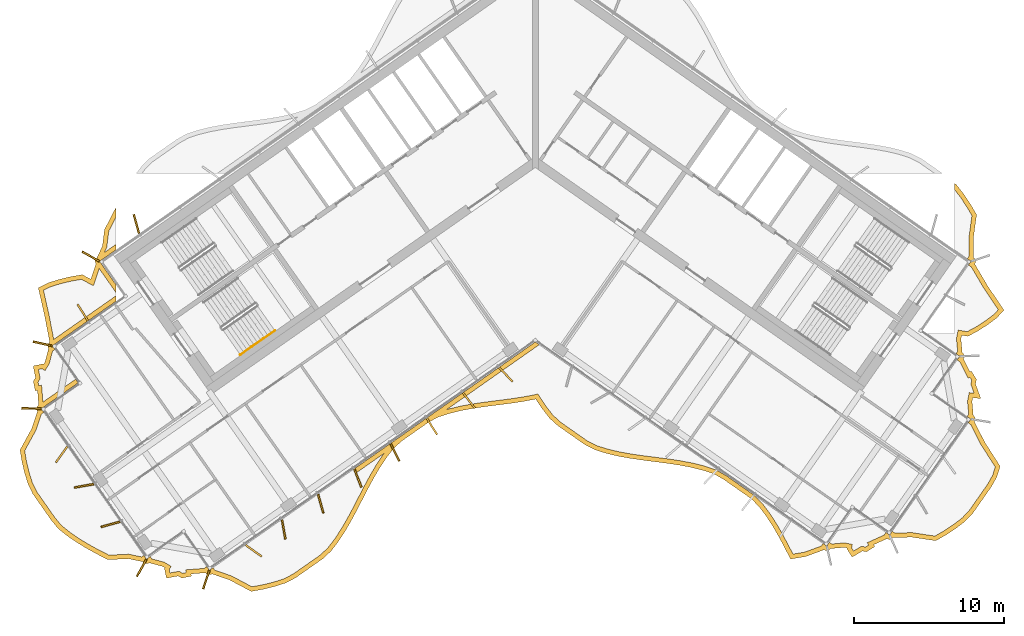
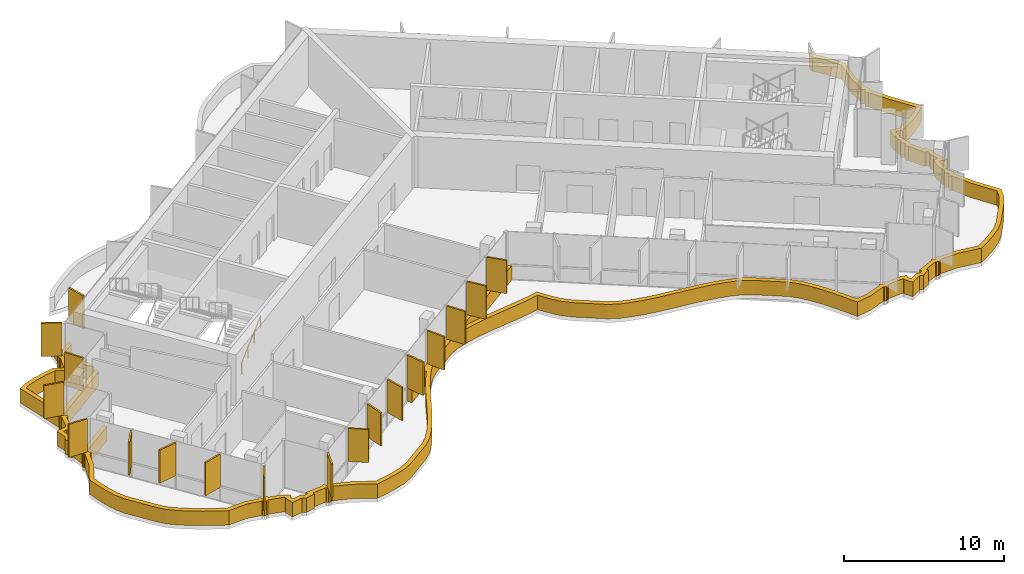
# One storey, part 13 of 17: 19 shading devices, 1 railing.
"""IFC4 building model written with IfcOpenShell, lengths in metres."""

from ifc_helpers import new_model, si_unit, direction, frame, origin, origin_2d, place, context, subcontext, project, spatial, polyline, rectangle, circle, outline, extrude, material, layer, layer_set, type_object, element, save


model = new_model("IFC4")

# Units and contexts
model_context = context("Model", 3, precision=1e-05, world=origin(), true_north=direction((0.0, 1.0)))
body_context = subcontext(model_context, "Body", "Model", "MODEL_VIEW")
ifc_project = project(units=[si_unit("LENGTHUNIT", "METRE"), si_unit("AREAUNIT", "SQUARE_METRE"), si_unit("VOLUMEUNIT", "CUBIC_METRE"), si_unit("PLANEANGLEUNIT", "RADIAN"), si_unit("MASSUNIT", "GRAM", prefix="KILO")], contexts=[model_context])

# Site, building, storey
site_placement = place(None, origin())
site = spatial("IfcSite", under=ifc_project, at=site_placement, CompositionType="ELEMENT")
building_placement = place(site_placement, origin())
building = spatial("IfcBuilding", under=site, at=building_placement, Name="Tel Ilan Convention Tower", CompositionType="ELEMENT")
storey_placement = place(building_placement, frame((0.0, 0.0, 283.89990234375)))
storey = spatial("IfcBuildingStorey", under=building, at=storey_placement, Name="L67", CompositionType="ELEMENT", Elevation=283.89990234375)

# Shading devices
ifc_material_1 = material(Name="Aluminium, bronze anodised", Category="aluminium")
ifc_layer_1 = layer(ifc_material_1, 0.1201171875)
ifc_layer_set_1 = layer_set([ifc_layer_1], Name="FIN BRONZE 1300x120")
shading_device_type_1 = type_object("IfcShadingDeviceType", Name="FIN BRONZE 1300x120", PredefinedType="USERDEFINED", material=ifc_layer_set_1)
for number, where, z_axis, x_axis, name in (
    (1, (-26.51171875, -4.9736328125, 1.10009765625), (0.0, 0.0, 1.0), (-0.268172612768, 0.963370878614, 0.0), "FIN"),
    (2, (-29.5439453125, -7.13623046875, 1.10009765625), (0.0, 0.0, 1.0), (-0.870832754082, 0.491579408049, 0.0), "FIN"),
    (3, (-30.076416015625, -10.8642578125, 1.10009765625), (0.0, 0.0, 1.0), (-0.533204432798, 0.845986425922, 0.0), "FIN"),
    (4, (-32.740234375, -12.935302734375, 1.10009765625), (0.0, 0.0, 1.0), (-0.975235208752, 0.221170268371, 0.0), "FIN"),
    (5, (-33.498291015625, -17.2373046875, 1.10009765625), (0.0, 0.0, 1.0), (-0.999576950082, 0.029084718749, 0.0), "FIN"),
    (6, (-31.485107421875, -20.2958984375, 1.10009765625), (0.0, 0.0, 1.0), (-0.581492071294, -0.813552070258, 0.0), "FIN"),
    (7, (-30.002197265625, -22.381591796875, 1.10009765625), (0.0, 0.0, 1.0), (-0.984807753012, -0.173648177667, 0.0), "FIN"),
    (8, (-28.234619140625, -24.938232421875, 1.10009765625), (0.0, 0.0, 1.0), (-0.963370878614, -0.268172612768, 0.0), "FIN"),
    (9, (-26.165771484375, -27.83642578125, 1.10009765625), (0.0, 0.0, 1.0), (-0.491579408049, -0.870832754082, 0.0), "FIN"),
    (10, (-21.87060546875, -28.613037109375, 1.10009765625), (0.0, 0.0, 1.0), (-0.314544756146, -0.949242643575, 0.0), "FIN"),
    (11, (-18.717529296875, -26.6962890625, 1.10009765625), (0.0, 0.0, 1.0), (0.813552070258, -0.581492071294, 0.0), "FIN"),
    (12, (-16.72314453125, -25.27734375, 1.10009765625), (0.0, 0.0, 1.0), (0.173648177667, -0.984807753012, 0.0), "FIN"),
    (13, (-14.2578125, -23.573486328125, 1.10009765625), (0.0, 0.0, 1.0), (0.268172612768, -0.963370878614, 0.0), "FIN"),
    (14, (-11.7939453125, -21.863525390625, 1.10009765625), (0.0, 0.0, 1.0), (0.360177724803, -0.932883704733, 0.0), "FIN"),
    (15, (-9.332275390625, -20.14794921875, 1.10009765625), (0.0, 0.0, 1.0), (0.448799180206, -0.893632640321, 0.0), "FIN"),
    (16, (-6.87353515625, -18.426513671875, 1.10009765625), (0.0, 0.0, 1.0), (0.533204432798, -0.845986425922, 0.0), "FIN"),
    (17, (-4.414794921875, -16.704833984375, 1.10009765625), (0.0, 0.0, 1.0), (0.612600545196, -0.790392669516, 0.0), "FIN"),
    (18, (-1.95654296875, -14.983154296875, 1.10009765625), (0.0, 0.0, 1.0), (0.686241637865, -0.727373641577, 0.0), "FIN"),
):
    element("IfcShadingDevice", number, at=place(storey_placement, frame(where, z_axis=z_axis, x_axis=x_axis)), inside=storey, type_object=shading_device_type_1, Name=name, ObjectType="FIN", PredefinedType="USERDEFINED", context=body_context, shape_type="SweptSolid", body=[
        extrude(rectangle(XDim=1.300048828125, YDim=0.1201171875, at=origin_2d()), origin(), (0.0, 0.0, 1.0), 2.52001953125),
    ])
ifc_material_2 = material(Name="Aluminium, bronze anodised", Category="aluminium")
ifc_layer_2 = layer(ifc_material_2, 0.300048828125)
ifc_layer_set_2 = layer_set([ifc_layer_2], Name="LOUVRE BAND 300x1100")
shading_device_type_2 = type_object("IfcShadingDeviceType", Name="LOUVRE BAND 300x1100", PredefinedType="USERDEFINED", material=ifc_layer_set_2)
shading_device_placement = place(storey_placement, origin())
element("IfcShadingDevice", 19, at=shading_device_placement, inside=storey, type_object=shading_device_type_2, Name="LOUVRE BAND 50.01", ObjectType="LOUVRE", PredefinedType="USERDEFINED", context=body_context, shape_type="SweptSolid", body=[
    extrude(outline(polyline([(-33.47021484375, -18.574462890625), (-34.248779296875, -19.995849609375), (-34.1181640625, -20.780517578125), (-33.940185546875, -21.531982421875), (-33.7158203125, -22.2509765625), (-33.401611328125, -22.906982421875), (-32.166748046875, -24.670654296875), (-31.707763671875, -25.22509765625), (-31.125732421875, -25.69384765625), (-30.49462890625, -26.1279296875), (-29.82373046875, -26.5341796875), (-29.12353515625, -26.920166015625), (-28.398193359375, -27.288330078125), (-27.05419921875, -27.223388671875), (-26.083984375, -27.420166015625), (-26.05517578125, -27.46337890625), (-25.957763671875, -27.5283203125), (-25.843017578125, -27.55126953125), (-25.728271484375, -27.5283203125), (-25.674072265625, -27.492431640625), (-24.7724609375, -27.73388671875), (-24.61669921875, -27.828857421875), (-24.64697265625, -27.878662109375), (-24.51416015625, -28.518310546875), (-23.728759765625, -28.3701171875), (-23.49462890625, -28.5126953125), (-22.855224609375, -28.3798828125), (-22.8828125, -28.233154296875), (-21.90576171875, -28.15673828125), (-21.876953125, -28.2001953125), (-21.779541015625, -28.26513671875), (-21.664794921875, -28.2880859375), (-21.550048828125, -28.26513671875), (-21.49609375, -28.22900390625), (-20.311279296875, -28.64013671875), (-18.883544921875, -29.3984375), (-18.087646484375, -29.25439453125), (-17.32080078125, -29.068359375), (-16.588623046875, -28.833251953125), (-15.931640625, -28.490478515625), (-14.12646484375, -27.226318359375), (-13.582763671875, -26.721923828125), (-13.1123046875, -26.113037109375), (-12.67626953125, -25.454833984375), (-12.267333984375, -24.7578125), (-11.87744140625, -24.0341796875), (-11.11572265625, -22.56005859375), (-10.724853515625, -21.83740234375), (-10.314697265625, -21.142333984375), (-9.877197265625, -20.486572265625), (-9.404541015625, -19.88037109375), (-8.85498046875, -19.384765625), (-7.049560546875, -18.12060546875), (-6.386474609375, -17.78662109375), (-5.65234375, -17.55419921875), (-4.884033203125, -17.370849609375), (-4.088623046875, -17.225830078125), (-3.274658203125, -17.107421875), (-1.629150390625, -16.895751953125), (-0.816650390625, -16.775146484375), (0.03369140625, -16.6123046875), (0.481201171875, -17.28466796875), (0.956298828125, -17.894287109375), (1.509765625, -18.392333984375), (3.325927734375, -19.663818359375), (3.99609375, -19.9951171875), (4.73583984375, -20.22705078125), (5.510009765625, -20.40966796875), (6.311279296875, -20.553955078125), (7.130615234375, -20.672119140625), (8.785888671875, -20.885009765625), (9.601806640625, -21.008056640625), (10.3974609375, -21.16015625), (11.16455078125, -21.353271484375), (11.8955078125, -21.59765625), (12.540283203125, -21.965087890625), (14.356201171875, -23.23681640625), (14.88330078125, -23.7724609375), (15.349853515625, -24.39453125), (15.782958984375, -25.064453125), (16.18994140625, -25.771728515625), (16.57958984375, -26.50341796875), (16.96240234375, -27.2451171875), (17.983642578125, -27.074951171875), (19.202392578125, -26.623046875), (19.25634765625, -26.6591796875), (19.37109375, -26.681884765625), (19.486083984375, -26.6591796875), (19.583251953125, -26.593994140625), (19.6123046875, -26.55078125), (20.542236328125, -26.469482421875), (20.72119140625, -26.50537109375), (20.709716796875, -26.5625), (21.052978515625, -27.1181640625), (21.740478515625, -26.710205078125), (22.00927734375, -26.76416015625), (22.564697265625, -26.420654296875), (22.488525390625, -26.292236328125), (23.380615234375, -25.88623046875), (23.4345703125, -25.92236328125), (23.54931640625, -25.9453125), (23.6640625, -25.92236328125), (23.761474609375, -25.857421875), (23.79052734375, -25.81396484375), (25.015625, -25.789306640625), (26.617919921875, -26.0283203125), (27.311767578125, -25.631591796875), (27.9609375, -25.203369140625), (28.5625, -24.741943359375), (29.068603515625, -24.213623046875), (30.31298828125, -22.436767578125), (30.669189453125, -21.803466796875), (30.8984375, -21.081298828125), (29.872314453125, -19.47998046875), (29.18212890625, -18.114013671875), (29.218017578125, -18.06005859375), (29.240966796875, -17.9453125), (29.218017578125, -17.830322265625), (29.153076171875, -17.733154296875), (29.10986328125, -17.7041015625), (29.028564453125, -16.774169921875), (29.080322265625, -16.5166015625), (29.61181640625, -16.583740234375), (29.26171875, -15.613037109375), (29.3232421875, -15.30712890625), (28.979736328125, -14.751708984375), (28.889404296875, -14.80517578125), (28.4453125, -13.935791015625), (28.4814453125, -13.8818359375), (28.504150390625, -13.76708984375), (28.4814453125, -13.652099609375), (28.416259765625, -13.554931640625), (28.373046875, -13.52587890625), (28.291748046875, -12.595947265625), (28.33642578125, -12.373291015625), (28.752685546875, -12.44189453125), (29.445068359375, -12.072265625), (30.077880859375, -11.660888671875), (30.66748046875, -11.218994140625), (31.151123046875, -10.703125), (30.056640625, -9.082275390625), (29.199951171875, -7.6279296875), (29.236083984375, -7.57373046875), (29.2587890625, -7.458984375), (29.236083984375, -7.34423828125), (29.1708984375, -7.246826171875), (29.127685546875, -7.218017578125), (29.10986328125, -5.95947265625), (29.331298828125, -4.35888671875), (28.922119140625, -3.659423828125), (28.48388671875, -3.001220703125), (28.0107421875, -2.392822265625), (27.874755859375, -2.269287109375), (27.874755859375, -2.70654296875), (28.240234375, -3.176513671875), (28.66748046875, -3.818359375), (29.02001953125, -4.420654296875), (28.809326171875, -5.941162109375), (28.829345703125, -7.12109375), (28.713134765625, -7.286865234375), (28.958740234375, -7.458984375), (28.787353515625, -7.705322265625), (28.97900390625, -7.83935546875), (29.802734375, -9.2421875), (30.7685546875, -10.672607421875), (30.466552734375, -10.99462890625), (29.906005859375, -11.414794921875), (29.292236328125, -11.813720703125), (28.701171875, -12.12939453125), (28.099365234375, -12.0302734375), (27.989013671875, -12.579833984375), (28.067626953125, -13.439208984375), (27.95849609375, -13.594970703125), (28.204345703125, -13.76708984375), (28.03271484375, -14.01318359375), (28.21630859375, -14.141845703125), (28.766845703125, -15.226806640625), (28.87939453125, -15.159912109375), (29.005859375, -15.3642578125), (28.951171875, -15.635986328125), (29.163330078125, -16.224853515625), (28.841064453125, -16.18408203125), (28.725830078125, -16.758056640625), (28.80419921875, -17.617431640625), (28.6953125, -17.773193359375), (28.94091796875, -17.9453125), (28.76953125, -18.19140625), (28.95263671875, -18.319580078125), (29.611328125, -19.62890625), (30.56982421875, -21.12451171875), (30.392578125, -21.68310546875), (30.05859375, -22.276611328125), (28.836181640625, -24.022705078125), (28.36181640625, -24.517822265625), (27.78662109375, -24.958740234375), (27.154541015625, -25.3759765625), (26.559326171875, -25.71630859375), (25.034423828125, -25.48876953125), (23.886474609375, -25.51513671875), (23.721435546875, -25.3994140625), (23.54931640625, -25.645263671875), (23.30322265625, -25.473876953125), (23.1787109375, -25.6513671875), (22.059326171875, -26.156982421875), (22.156494140625, -26.320556640625), (21.9521484375, -26.44677734375), (21.6865234375, -26.393310546875), (21.1533203125, -26.709716796875), (21.027099609375, -26.505615234375), (21.07421875, -26.2705078125), (20.558349609375, -26.166748046875), (19.698974609375, -26.245361328125), (19.543212890625, -26.13623046875), (19.37109375, -26.382080078125), (19.125, -26.21044921875), (19.00732421875, -26.378662109375), (17.90673828125, -26.78369140625), (17.12890625, -26.913330078125), (16.452392578125, -25.626220703125), (16.0390625, -24.908203125), (15.59619140625, -24.222900390625), (15.111328125, -23.576416015625), (14.55078125, -23.0068359375), (12.700927734375, -21.71142578125), (12.0185546875, -21.322509765625), (11.248779296875, -21.06494140625), (10.46240234375, -20.866943359375), (9.65234375, -20.712158203125), (8.827392578125, -20.587890625), (7.171142578125, -20.374755859375), (6.359375, -20.2578125), (5.571044921875, -20.11572265625), (4.815185546875, -19.9375), (4.108154296875, -19.7158203125), (3.479248046875, -19.405029296875), (1.697021484375, -18.156982421875), (1.1767578125, -17.68896484375), (0.724609375, -17.10888671875), (0.29541015625, -16.465576171875), (0.1787109375, -16.2666015625), (-0.087890625, -16.33349609375), (-0.866455078125, -16.479248046875), (-1.67041015625, -16.5986328125), (-3.315185546875, -16.81005859375), (-4.136962890625, -16.9296875), (-4.945556640625, -17.0771484375), (-5.732666015625, -17.264892578125), (-5.906005859375, -17.31982421875), (0.261474609375, -13.001220703125), (0.0, -12.818115234375), (-12.00537109375, -21.224365234375), (-11.833251953125, -21.47021484375), (-10.0517578125, -20.22265625), (-10.12060546875, -20.310791015625), (-10.56884765625, -20.982666015625), (-10.986083984375, -21.68994140625), (-11.380859375, -22.419677734375), (-12.142578125, -23.89404296875), (-12.529052734375, -24.61083984375), (-12.930908203125, -25.2958984375), (-13.356201171875, -25.938232421875), (-13.804931640625, -26.518798828125), (-14.315185546875, -26.992431640625), (-16.087890625, -28.233642578125), (-16.704833984375, -28.555419921875), (-17.402099609375, -28.779541015625), (-18.149658203125, -28.960693359375), (-18.83447265625, -29.084716796875), (-20.19140625, -28.3642578125), (-21.302978515625, -27.981689453125), (-21.418701171875, -27.816650390625), (-21.664794921875, -27.988037109375), (-21.8369140625, -27.7421875), (-22.01513671875, -27.8671875), (-23.239990234375, -27.959228515625), (-23.20458984375, -28.14599609375), (-23.439697265625, -28.19482421875), (-23.671142578125, -28.053955078125), (-24.2802734375, -28.1689453125), (-24.3291015625, -27.933837890625), (-24.204345703125, -27.72900390625), (-24.65380859375, -27.455078125), (-25.48828125, -27.23486328125), (-25.5966796875, -27.079833984375), (-25.843017578125, -27.251220703125), (-26.01513671875, -27.005615234375), (-26.15478515625, -27.103271484375), (-27.03076171875, -26.921875), (-28.333251953125, -26.98486328125), (-28.983154296875, -26.65478515625), (-29.673583984375, -26.2744140625), (-30.331787109375, -25.8759765625), (-30.946533203125, -25.453125), (-31.495849609375, -25.010498046875), (-31.927978515625, -24.488525390625), (-33.141845703125, -22.755126953125), (-33.43603515625, -22.140869140625), (-33.650634765625, -21.45263671875), (-33.823974609375, -20.72119140625), (-33.935791015625, -20.048828125), (-33.1943359375, -18.6953125), (-32.833251953125, -17.61865234375), (-32.66845703125, -17.50341796875), (-32.840576171875, -17.257568359375), (-30.383056640625, -15.536865234375), (-30.55517578125, -15.291015625), (-32.726806640625, -16.811767578125), (-32.811767578125, -15.6826171875), (-32.998779296875, -15.7177734375), (-33.047607421875, -15.482666015625), (-32.906494140625, -15.251220703125), (-33.021484375, -14.64208984375), (-32.786376953125, -14.59326171875), (-32.58154296875, -14.718017578125), (-32.3076171875, -14.268798828125), (-32.087646484375, -13.434326171875), (-31.931884765625, -13.3251953125), (-32.103759765625, -13.079345703125), (-27.874755859375, -10.1181640625), (-27.874755859375, -9.751953125), (-32.006591796875, -12.64501953125), (-32.314697265625, -11.033447265625), (-32.68798828125, -9.385986328125), (-32.26708984375, -9.168701171875), (-31.5771484375, -8.950439453125), (-30.838623046875, -8.77392578125), (-30.161376953125, -8.65625), (-29.363525390625, -9.087646484375), (-28.9892578125, -7.938720703125), (-27.874755859375, -9.530029296875), (-27.874755859375, -9.007080078125), (-28.958740234375, -7.458984375), (-27.874755859375, -6.699951171875), (-27.874755859375, -6.333740234375), (-28.640380859375, -6.869873046875), (-28.480224609375, -6.525634765625), (-28.343994140625, -5.44384765625), (-27.874755859375, -4.536376953125), (-27.874755859375, -3.881103515625), (-28.635009765625, -5.353271484375), (-28.772216796875, -6.441650390625), (-29.127685546875, -7.218017578125), (-29.1708984375, -7.246826171875), (-29.236083984375, -7.34423828125), (-29.2587890625, -7.458984375), (-29.236083984375, -7.57373046875), (-29.199951171875, -7.6279296875), (-29.537353515625, -8.652587890625), (-30.110107421875, -8.3427734375), (-30.899169921875, -8.47998046875), (-31.6572265625, -8.661376953125), (-32.3818359375, -8.890380859375), (-33.031982421875, -9.225830078125), (-32.6083984375, -11.094970703125), (-32.272705078125, -12.83837890625), (-32.31591796875, -12.8671875), (-32.381103515625, -12.964599609375), (-32.40380859375, -13.079345703125), (-32.381103515625, -13.1943359375), (-32.344970703125, -13.248291015625), (-32.586669921875, -14.14990234375), (-32.681640625, -14.3056640625), (-32.7314453125, -14.275390625), (-33.370849609375, -14.408203125), (-33.22265625, -15.193603515625), (-33.365478515625, -15.427734375), (-33.232666015625, -16.067138671875), (-33.0859375, -16.03955078125), (-33.009521484375, -17.0166015625), (-33.052734375, -17.04541015625), (-33.11767578125, -17.142822265625), (-33.140625, -17.257568359375), (-33.11767578125, -17.372314453125), (-33.081787109375, -17.426513671875), (-33.47021484375, -18.574462890625)])), origin(), (0.0, 0.0, 1.0), 1.10009765625),
])

# Railing
ifc_material_3 = material(Name="Stainless Steel Grade 316", Category="steel")
railing_type = type_object("IfcRailingType", Name="Stainless Steel Stair Handrail 900 mm", PredefinedType="HANDRAIL", material=ifc_material_3)
railing_placement = place(storey_placement, frame((-19.6064453125, -13.66748046875, 0.177490234375)))
element("IfcRailing", 20, at=railing_placement, inside=storey, type_object=railing_type, Name="L67 S2 stair handrail 1", PredefinedType="HANDRAIL", context=body_context, shape_type="SweptSolid", body=[
    extrude(circle(Radius=0.02392578125, at=origin_2d()), frame((0.0, 0.0, 0.8759765625), z_axis=(0.692123088272, 0.484596665743, 0.534912798717), x_axis=(-0.573550118428, 0.819170471667, 0.0)), (0.0, 0.0, 1.0), 3.31396484375),
    extrude(circle(Radius=0.02099609375, at=origin_2d()), origin(), (0.0, 0.0, 1.0), 0.851806640625),
    extrude(circle(Radius=0.02099609375, at=origin_2d()), frame((0.7646484375, 0.535400390625, 0.5908203125)), (0.0, 0.0, 1.0), 0.851806640625),
    extrude(circle(Radius=0.02099609375, at=origin_2d()), frame((1.529052734375, 1.070556640625, 1.181884765625)), (0.0, 0.0, 1.0), 0.851806640625),
    extrude(circle(Radius=0.02099609375, at=origin_2d()), frame((2.293701171875, 1.60595703125, 1.772705078125)), (0.0, 0.0, 1.0), 0.851806640625),
])

save(model, "model.ifc")
